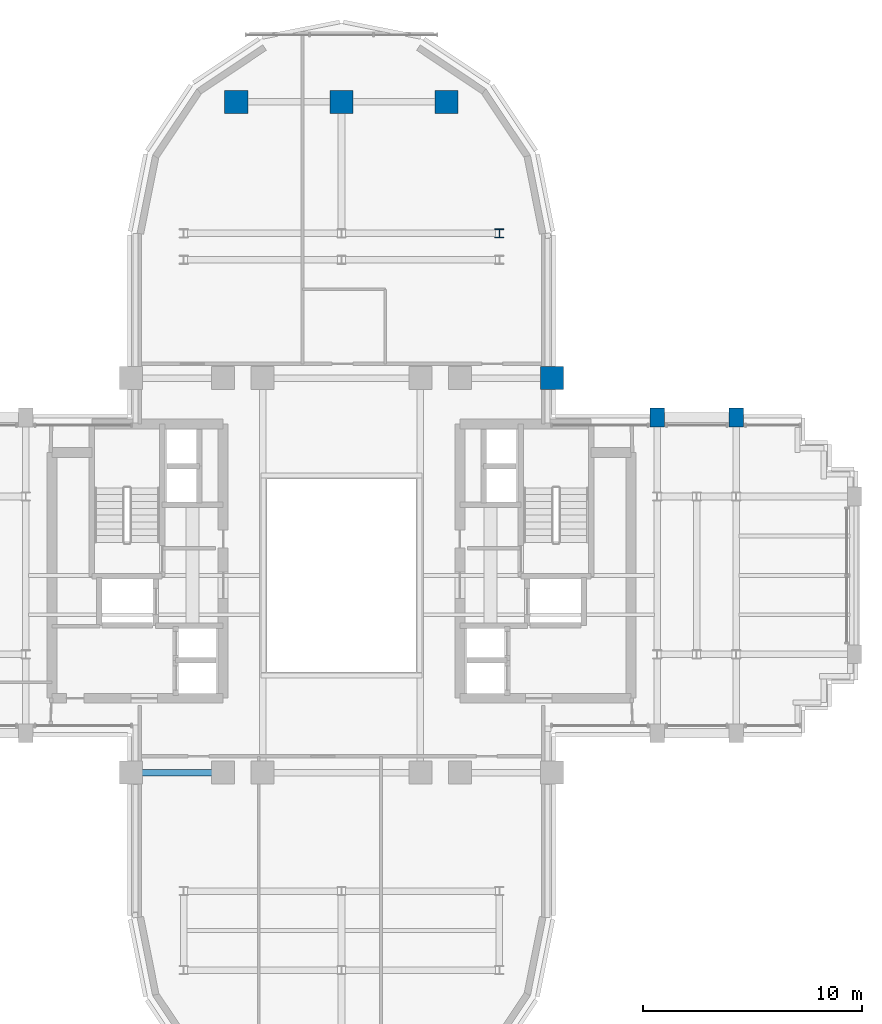
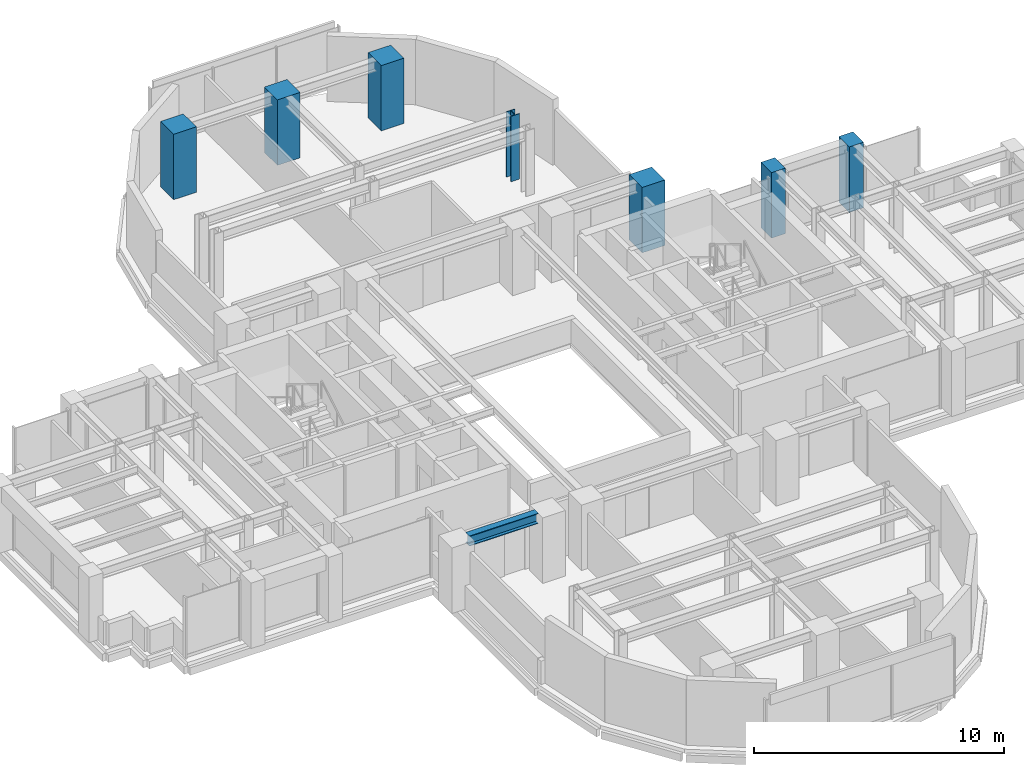
# One storey, part 2 of 13: 7 columns, 1 beam.
"""IFC4 building model written with IfcOpenShell, lengths in metres."""

from ifc_helpers import new_model, si_unit, direction, frame, origin, origin_2d, place, context, subcontext, project, spatial, rectangle, i_section, extrude, source, transform, mapped, material, material_profile, profile_set, type_object, element, save


model = new_model("IFC4")

# Units and contexts
model_context = context("Model", 3, precision=1e-05, world=origin(), true_north=direction((0.0, 1.0)))
body_context = subcontext(model_context, "Body", "Model", "MODEL_VIEW")
ifc_project = project(units=[si_unit("LENGTHUNIT", "METRE"), si_unit("AREAUNIT", "SQUARE_METRE"), si_unit("VOLUMEUNIT", "CUBIC_METRE"), si_unit("PLANEANGLEUNIT", "RADIAN"), si_unit("MASSUNIT", "GRAM", prefix="KILO")], contexts=[model_context])

# Site, building, storey
site_placement = place(None, origin())
site = spatial("IfcSite", under=ifc_project, at=site_placement, CompositionType="ELEMENT")
building_placement = place(site_placement, origin())
building = spatial("IfcBuilding", under=site, at=building_placement, Name="Keilestroom Media Tower", CompositionType="ELEMENT")
storey_placement = place(building_placement, frame((0.0, 0.0, 144.800048828125)))
storey = spatial("IfcBuildingStorey", under=building, at=storey_placement, Name="L39", CompositionType="ELEMENT", Elevation=144.800048828125)

# Columns
ifc_material_1 = material(Name="Precast concrete C40/50", Category="concrete")
ifc_material_profile_1 = material_profile(ifc_material_1, rectangle(XDim=0.64990234375, YDim=0.85009765625, at=origin_2d()), Name="PC 850x650")
ifc_profile_set_1 = profile_set([ifc_material_profile_1], Name="Precast concrete C40/50")
column_type_1 = type_object("IfcColumnType", Name="Structural-Column-PC-850x650", PredefinedType="COLUMN", material=ifc_profile_set_1)
shared_shape_1 = source(origin(), body_context, "Body", "SweptSolid", [
    extrude(rectangle(XDim=0.64990234375, YDim=0.85009765625, at=origin_2d()), origin(), (0.0, 0.0, 1.0), 3.199951171875),
])
for number, where, z_axis, x_axis, name in (
    (1, (14.39990234375, 7.199951171875, 0.0), (0.0, 0.0, 1.0), (1.0, 0.0, 0.0), "L39 Column PC-2 (+14.4,+7.2)"),
    (2, (18.0, 7.199951171875, 0.0), (0.0, 0.0, 1.0), (1.0, 0.0, 0.0), "L39 Column PC-2 (+18.0,+7.2)"),
):
    element("IfcColumn", number, at=place(storey_placement, frame(where, z_axis=z_axis, x_axis=x_axis)), inside=storey, type_object=column_type_1, Name=name, PredefinedType="COLUMN", context=body_context, shape_type="MappedRepresentation", body=[
        mapped(shared_shape_1, transform((0.0, 0.0, 0.0), x_axis=(1.0, 0.0, 0.0), y_axis=(0.0, 1.0, 0.0), z_axis=(0.0, 0.0, 1.0), scale=1.0)),
    ])
ifc_material_2 = material(Name="Steel S355", Category="steel")
ifc_material_profile_2 = material_profile(ifc_material_2, i_section(OverallWidth=0.40087890625, OverallDepth=0.39892578125, WebThickness=0.02001953125, FlangeThickness=0.031982421875, at=origin_2d()), Name="HD 400x314")
ifc_profile_set_2 = profile_set([ifc_material_profile_2], Name="Steel S355")
column_type_2 = type_object("IfcColumnType", Name="Structural-Column-HD-400x314", PredefinedType="COLUMN", material=ifc_profile_set_2)
shared_shape_2 = source(origin(), body_context, "Body", "SweptSolid", [
    extrude(i_section(OverallWidth=0.40087890625, OverallDepth=0.39892578125, WebThickness=0.02001953125, FlangeThickness=0.031982421875, at=origin_2d()), origin(), (0.0, 0.0, 1.0), 3.199951171875),
])
column_placement = place(storey_placement, frame((7.199951171875, 15.60009765625, 0.0), z_axis=(0.0, 0.0, 1.0), x_axis=(1.0, 0.0, 0.0)))
element("IfcColumn", 3, at=column_placement, inside=storey, type_object=column_type_2, Name="L39 Column SC-3 (+7.2,+15.6)", PredefinedType="COLUMN", context=body_context, shape_type="MappedRepresentation", body=[
    mapped(shared_shape_2, transform((0.0, 0.0, 0.0), x_axis=(1.0, 0.0, 0.0), y_axis=(0.0, 1.0, 0.0), z_axis=(0.0, 0.0, 1.0), scale=1.0)),
])
ifc_material_3 = material(Name="Concrete C55/67", Category="concrete")
ifc_material_profile_3 = material_profile(ifc_material_3, rectangle(XDim=1.050048828125, YDim=1.050048828125, at=origin_2d()), Name="RC 1050x1050")
ifc_profile_set_3 = profile_set([ifc_material_profile_3], Name="Concrete C55/67")
column_type_3 = type_object("IfcColumnType", Name="Structural-Column-RC-1050x1050", PredefinedType="COLUMN", material=ifc_profile_set_3)
shared_shape_3 = source(origin(), body_context, "Body", "SweptSolid", [
    extrude(rectangle(XDim=1.050048828125, YDim=1.050048828125, at=origin_2d()), origin(), (0.0, 0.0, 1.0), 3.199951171875),
])
for number, where, z_axis, x_axis, name in (
    (4, (-4.800048828125, 21.60009765625, 0.0), (0.0, 0.0, 1.0), (1.0, 0.0, 0.0), "L39 Column MC-3 (-4.8,+21.6)"),
    (5, (0.0, 21.60009765625, 0.0), (0.0, 0.0, 1.0), (1.0, 0.0, 0.0), "L39 Column MC-3 (+0.0,+21.6)"),
    (6, (4.800048828125, 21.60009765625, 0.0), (0.0, 0.0, 1.0), (1.0, 0.0, 0.0), "L39 Column MC-3 (+4.8,+21.6)"),
    (7, (9.60009765625, 9.0, 0.0), (0.0, 0.0, 1.0), (1.0, 0.0, 0.0), "L39 Column MC-3 (+9.6,+9.0)"),
):
    element("IfcColumn", number, at=place(storey_placement, frame(where, z_axis=z_axis, x_axis=x_axis)), inside=storey, type_object=column_type_3, Name=name, PredefinedType="COLUMN", context=body_context, shape_type="MappedRepresentation", body=[
        mapped(shared_shape_3, transform((0.0, 0.0, 0.0), x_axis=(1.0, 0.0, 0.0), y_axis=(0.0, 1.0, 0.0), z_axis=(0.0, 0.0, 1.0), scale=1.0)),
    ])

# Beam
ifc_material_profile_4 = material_profile(ifc_material_2, i_section(OverallWidth=0.300048828125, OverallDepth=0.5, WebThickness=0.012451171875, FlangeThickness=0.028076171875, at=origin_2d()), Name="HEB 500")
ifc_profile_set_4 = profile_set([ifc_material_profile_4], Name="Steel S355")
beam_type = type_object("IfcBeamType", Name="Primary-Structural-Girder-HEB-500", PredefinedType="BEAM", material=ifc_profile_set_4)
shared_shape_4 = source(origin(), body_context, "Body", "SweptSolid", [
    extrude(i_section(OverallWidth=0.300048828125, OverallDepth=0.5, WebThickness=0.012451171875, FlangeThickness=0.028076171875, at=origin_2d()), origin(), (0.0, 0.0, 1.0), 3.18994140625),
])
beam_placement = place(storey_placement, frame((-9.094970703125, -9.0, 2.949951171875), z_axis=(1.0, 0.0, 0.0), x_axis=(0.0, 1.0, 0.0)))
element("IfcBeam", 8, at=beam_placement, inside=storey, type_object=beam_type, Name="L39 Beam BG-6 BM-L39-EW-007", PredefinedType="BEAM", context=body_context, shape_type="MappedRepresentation", body=[
    mapped(shared_shape_4, transform((0.0, 0.0, 0.0), x_axis=(1.0, 0.0, 0.0), y_axis=(0.0, 1.0, 0.0), z_axis=(0.0, 0.0, 1.0), scale=1.0)),
])

save(model, "model.ifc")
